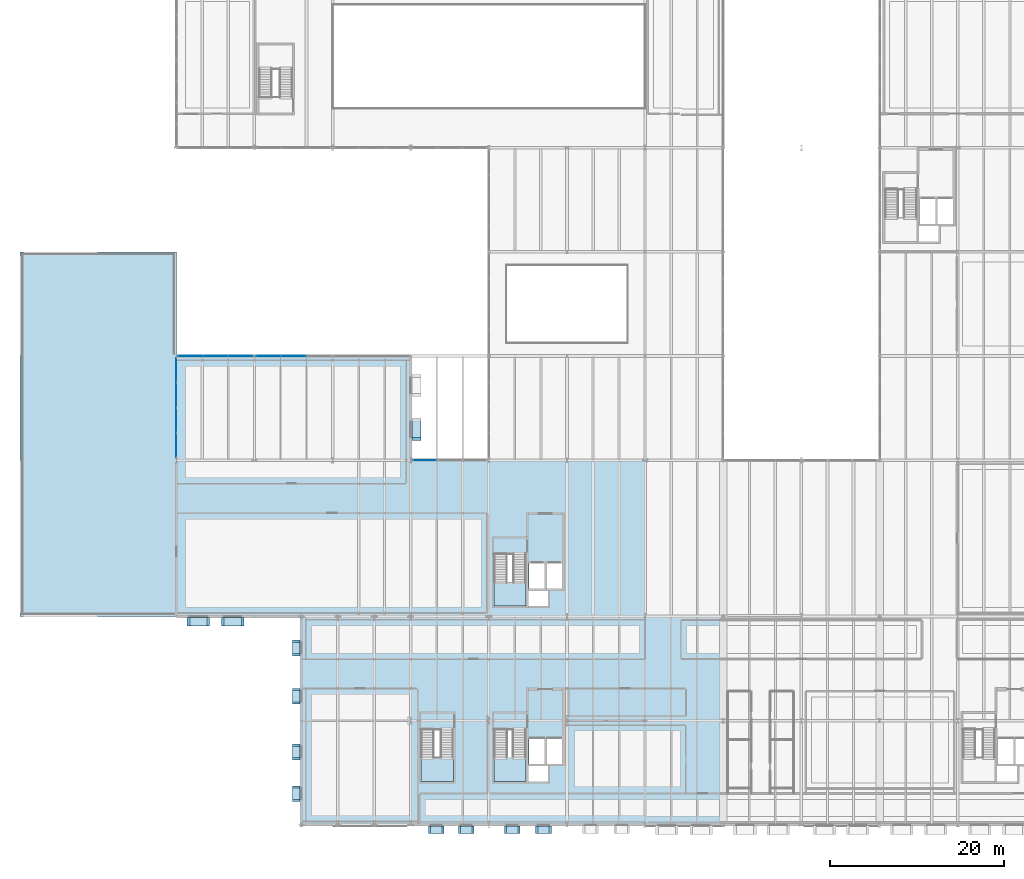
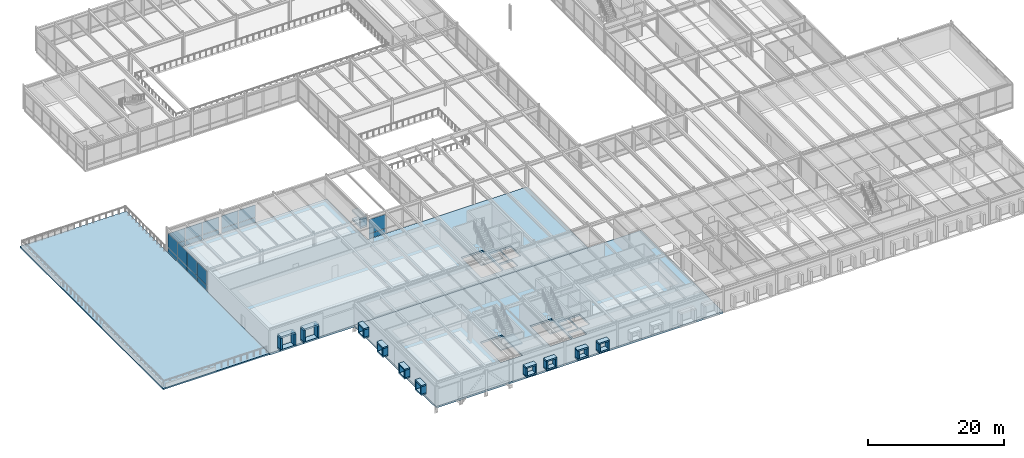
# One storey, part 95 of 127: 63 plates, 6 slabs, 7 elements without a shape of their own.
"""IFC4 building model written with IfcOpenShell, lengths in metres."""

from ifc_helpers import new_model, si_unit, direction, frame, origin, origin_2d, place, context, subcontext, project, spatial, polyline, rectangle, outline, extrude, material, layer, layer_set, type_object, element, aggregate, save


model = new_model("IFC4")

# Units and contexts
model_context = context("Model", 3, precision=1e-05, world=origin(), true_north=direction((0.0, 1.0)))
body_context = subcontext(model_context, "Body", "Model", "MODEL_VIEW")
ifc_project = project(units=[si_unit("LENGTHUNIT", "METRE"), si_unit("AREAUNIT", "SQUARE_METRE"), si_unit("VOLUMEUNIT", "CUBIC_METRE"), si_unit("PLANEANGLEUNIT", "RADIAN"), si_unit("MASSUNIT", "GRAM", prefix="KILO")], contexts=[model_context])

# Site, building, storey
site_placement = place(None, origin())
site = spatial("IfcSite", under=ifc_project, at=site_placement, CompositionType="ELEMENT")
building_placement = place(site_placement, origin())
building = spatial("IfcBuilding", under=site, at=building_placement, Name="Montelvaro Courts of Justice", CompositionType="ELEMENT")
storey_placement = place(building_placement, frame((0.0, 0.0, 5.39990234375)))
storey = spatial("IfcBuildingStorey", under=building, at=storey_placement, Name="L01", CompositionType="ELEMENT", Elevation=5.39990234375)

# Curtain wall, plates
ifc_material_1 = material(Name="Anodised aluminium EN AW-6063", Category="aluminium")
ifc_layer_1 = layer(ifc_material_1, 0.159912109375)
ifc_layer_set_1 = layer_set([ifc_layer_1], Name="Anodised aluminium EN AW-6063")
curtain_wall_type_1 = type_object("IfcCurtainWallType", Name="CurtainWall_18_868x418", PredefinedType="USERDEFINED", material=ifc_layer_set_1)
curtain_wall_1_placement = place(storey_placement, origin())
curtain_wall_1 = element("IfcCurtainWall", 1, at=curtain_wall_1_placement, inside=storey, type_object=curtain_wall_type_1, Name="Curtain Wall CW-18 (L01)", ObjectType="CURTAIN WALL", PredefinedType="USERDEFINED")
ifc_material_2 = material(Name="Acoustic laminated triple glazing", Category="glass")
ifc_layer_2 = layer(ifc_material_2, 0.035888671875)
ifc_layer_set_2 = layer_set([ifc_layer_2], Name="Acoustic laminated triple glazing")
plate_type_1 = type_object("IfcPlateType", Name="CurtainWall_Acoustic_Panel_36", PredefinedType="CURTAIN_PANEL", material=ifc_layer_set_2)
plate_1_placement = place(storey_placement, frame((31.4951171875, 54.0, 0.06005859375), z_axis=(0.0, 0.0, 1.0), x_axis=(-1.0, 0.0, 0.0)))
plate_1 = element("IfcPlate", 2, at=plate_1_placement, type_object=plate_type_1, Name="CW-18 panel 2.1", PredefinedType="CURTAIN_PANEL", context=body_context, shape_type="SweptSolid", body=[
    extrude(rectangle(XDim=2.833251953125, YDim=0.035888671875, at=origin_2d()), origin(), (0.0, 0.0, 1.0), 0.860107421875),
])
plate_2_placement = place(storey_placement, frame((31.4951171875, 54.0, 0.97998046875), z_axis=(0.0, 0.0, 1.0), x_axis=(-1.0, 0.0, 0.0)))
plate_2 = element("IfcPlate", 3, at=plate_2_placement, type_object=plate_type_1, Name="CW-18 panel 2.2", PredefinedType="CURTAIN_PANEL", context=body_context, shape_type="SweptSolid", body=[
    extrude(rectangle(XDim=2.833251953125, YDim=0.035888671875, at=origin_2d()), origin(), (0.0, 0.0, 1.0), 2.215087890625),
])
plate_3_placement = place(storey_placement, frame((28.61669921875, 54.0, 0.06005859375), z_axis=(0.0, 0.0, 1.0), x_axis=(-1.0, 0.0, 0.0)))
plate_3 = element("IfcPlate", 4, at=plate_3_placement, type_object=plate_type_1, Name="CW-18 panel 3.1", PredefinedType="CURTAIN_PANEL", context=body_context, shape_type="SweptSolid", body=[
    extrude(rectangle(XDim=2.80322265625, YDim=0.035888671875, at=origin_2d()), origin(), (0.0, 0.0, 1.0), 0.860107421875),
])
plate_4_placement = place(storey_placement, frame((28.61669921875, 54.0, 0.97998046875), z_axis=(0.0, 0.0, 1.0), x_axis=(-1.0, 0.0, 0.0)))
plate_4 = element("IfcPlate", 5, at=plate_4_placement, type_object=plate_type_1, Name="CW-18 panel 3.2", PredefinedType="CURTAIN_PANEL", context=body_context, shape_type="SweptSolid", body=[
    extrude(rectangle(XDim=2.80322265625, YDim=0.035888671875, at=origin_2d()), origin(), (0.0, 0.0, 1.0), 2.215087890625),
])
aggregate(curtain_wall_1, [plate_1, plate_2, plate_3, plate_4])

ifc_layer_3 = layer(ifc_material_1, 0.159912109375)
ifc_layer_set_3 = layer_set([ifc_layer_3], Name="Anodised aluminium EN AW-6063")
curtain_wall_type_2 = type_object("IfcCurtainWallType", Name="CurtainWall_23_1154x418", PredefinedType="USERDEFINED", material=ifc_layer_set_3)
curtain_wall_2_placement = place(storey_placement, origin())
curtain_wall_2 = element("IfcCurtainWall", 6, at=curtain_wall_2_placement, inside=storey, type_object=curtain_wall_type_2, Name="Curtain Wall CW-23 (L01)", ObjectType="CURTAIN WALL", PredefinedType="USERDEFINED")
plate_5_placement = place(storey_placement, frame((18.0, 52.366943359375, 0.0751953125), z_axis=(0.0, 0.0, 1.0), x_axis=(0.0, -1.0, 0.0)))
plate_5 = element("IfcPlate", 7, at=plate_5_placement, type_object=plate_type_1, Name="CW-23 panel 1.1", PredefinedType="CURTAIN_PANEL", context=body_context, shape_type="SweptSolid", body=[
    extrude(rectangle(XDim=2.7861328125, YDim=0.035888671875, at=origin_2d()), origin(), (0.0, 0.0, 1.0), 0.83740234375),
])
plate_6_placement = place(storey_placement, frame((18.0, 52.366943359375, 0.987548828125), z_axis=(0.0, 0.0, 1.0), x_axis=(0.0, -1.0, 0.0)))
plate_6 = element("IfcPlate", 8, at=plate_6_placement, type_object=plate_type_1, Name="CW-23 panel 1.2", PredefinedType="CURTAIN_PANEL", context=body_context, shape_type="SweptSolid", body=[
    extrude(rectangle(XDim=2.7861328125, YDim=0.035888671875, at=origin_2d()), origin(), (0.0, 0.0, 1.0), 2.54248046875),
])
plate_7_placement = place(storey_placement, frame((18.0, 49.499267578125, 0.0751953125), z_axis=(0.0, 0.0, 1.0), x_axis=(0.0, -1.0, 0.0)))
plate_7 = element("IfcPlate", 9, at=plate_7_placement, type_object=plate_type_1, Name="CW-23 panel 2.1", PredefinedType="CURTAIN_PANEL", context=body_context, shape_type="SweptSolid", body=[
    extrude(rectangle(XDim=2.81884765625, YDim=0.035888671875, at=origin_2d()), origin(), (0.0, 0.0, 1.0), 0.83740234375),
])
plate_8_placement = place(storey_placement, frame((18.0, 49.499267578125, 0.987548828125), z_axis=(0.0, 0.0, 1.0), x_axis=(0.0, -1.0, 0.0)))
plate_8 = element("IfcPlate", 10, at=plate_8_placement, type_object=plate_type_1, Name="CW-23 panel 2.2", PredefinedType="CURTAIN_PANEL", context=body_context, shape_type="SweptSolid", body=[
    extrude(rectangle(XDim=2.81884765625, YDim=0.035888671875, at=origin_2d()), origin(), (0.0, 0.0, 1.0), 2.54248046875),
])
plate_9_placement = place(storey_placement, frame((18.0, 46.61572265625, 0.0751953125), z_axis=(0.0, 0.0, 1.0), x_axis=(0.0, -1.0, 0.0)))
plate_9 = element("IfcPlate", 11, at=plate_9_placement, type_object=plate_type_1, Name="CW-23 panel 3.1", PredefinedType="CURTAIN_PANEL", context=body_context, shape_type="SweptSolid", body=[
    extrude(rectangle(XDim=2.81884765625, YDim=0.035888671875, at=origin_2d()), origin(), (0.0, 0.0, 1.0), 0.83740234375),
])
plate_10_placement = place(storey_placement, frame((18.0, 46.61572265625, 0.987548828125), z_axis=(0.0, 0.0, 1.0), x_axis=(0.0, -1.0, 0.0)))
plate_10 = element("IfcPlate", 12, at=plate_10_placement, type_object=plate_type_1, Name="CW-23 panel 3.2", PredefinedType="CURTAIN_PANEL", context=body_context, shape_type="SweptSolid", body=[
    extrude(rectangle(XDim=2.81884765625, YDim=0.035888671875, at=origin_2d()), origin(), (0.0, 0.0, 1.0), 2.54248046875),
])
plate_11_placement = place(storey_placement, frame((18.0, 43.748046875, 0.0751953125), z_axis=(0.0, 0.0, 1.0), x_axis=(0.0, -1.0, 0.0)))
plate_11 = element("IfcPlate", 13, at=plate_11_placement, type_object=plate_type_1, Name="CW-23 panel 4.1", PredefinedType="CURTAIN_PANEL", context=body_context, shape_type="SweptSolid", body=[
    extrude(rectangle(XDim=2.7861328125, YDim=0.035888671875, at=origin_2d()), origin(), (0.0, 0.0, 1.0), 0.83740234375),
])
plate_12_placement = place(storey_placement, frame((18.0, 43.748046875, 0.987548828125), z_axis=(0.0, 0.0, 1.0), x_axis=(0.0, -1.0, 0.0)))
plate_12 = element("IfcPlate", 14, at=plate_12_placement, type_object=plate_type_1, Name="CW-23 panel 4.2", PredefinedType="CURTAIN_PANEL", context=body_context, shape_type="SweptSolid", body=[
    extrude(rectangle(XDim=2.7861328125, YDim=0.035888671875, at=origin_2d()), origin(), (0.0, 0.0, 1.0), 2.54248046875),
])
aggregate(curtain_wall_2, [plate_5, plate_6, plate_7, plate_8, plate_9, plate_10, plate_11, plate_12])

ifc_layer_4 = layer(ifc_material_1, 0.159912109375)
ifc_layer_set_4 = layer_set([ifc_layer_4], Name="Anodised aluminium EN AW-6063")
curtain_wall_type_3 = type_object("IfcCurtainWallType", Name="CurtainWall_14_867x418", PredefinedType="USERDEFINED", material=ifc_layer_set_4)
curtain_wall_3_placement = place(storey_placement, origin())
curtain_wall_3 = element("IfcCurtainWall", 15, at=curtain_wall_3_placement, inside=storey, type_object=curtain_wall_type_3, Name="Curtain Wall CW-14 (L01)", ObjectType="CURTAIN WALL", PredefinedType="USERDEFINED")
ifc_material_3 = material(Name="Insulated spandrel glazing", Category="glass")
ifc_layer_5 = layer(ifc_material_3, 0.048095703125)
ifc_layer_set_5 = layer_set([ifc_layer_5], Name="Insulated spandrel glazing")
plate_type_2 = type_object("IfcPlateType", Name="CurtainWall_Spandrel_Panel_48", PredefinedType="CURTAIN_PANEL", material=ifc_layer_set_5)
plate_13_placement = place(storey_placement, frame((46.628662109375, 42.0, 0.06005859375), z_axis=(0.0, 0.0, 1.0), x_axis=(-1.0, 0.0, 0.0)))
plate_13 = element("IfcPlate", 16, at=plate_13_placement, type_object=plate_type_2, Name="CW-14 panel 3.1", PredefinedType="CURTAIN_PANEL", context=body_context, shape_type="SweptSolid", body=[
    extrude(rectangle(XDim=2.777587890625, YDim=0.048095703125, at=origin_2d()), origin(), (0.0, 0.0, 1.0), 0.860107421875),
])
plate_14_placement = place(storey_placement, frame((46.628662109375, 42.0, 0.97998046875), z_axis=(0.0, 0.0, 1.0), x_axis=(-1.0, 0.0, 0.0)))
plate_14 = element("IfcPlate", 17, at=plate_14_placement, type_object=plate_type_2, Name="CW-14 panel 3.2", PredefinedType="CURTAIN_PANEL", context=body_context, shape_type="SweptSolid", body=[
    extrude(rectangle(XDim=2.777587890625, YDim=0.048095703125, at=origin_2d()), origin(), (0.0, 0.0, 1.0), 2.514892578125),
])
aggregate(curtain_wall_3, [plate_13, plate_14])

curtain_wall_4_placement = place(storey_placement, origin())
curtain_wall_4 = element("IfcCurtainWall", 18, at=curtain_wall_4_placement, inside=storey, type_object=curtain_wall_type_1, Name="Curtain Wall CW-18 (L01)", ObjectType="CURTAIN WALL", PredefinedType="USERDEFINED")
plate_15_placement = place(storey_placement, frame((25.38330078125, 54.0, 0.0751953125), z_axis=(0.0, 0.0, 1.0), x_axis=(-1.0, 0.0, 0.0)))
plate_15 = element("IfcPlate", 19, at=plate_15_placement, type_object=plate_type_2, Name="CW-18 panel 1.1", PredefinedType="CURTAIN_PANEL", context=body_context, shape_type="SweptSolid", body=[
    extrude(rectangle(XDim=2.80322265625, YDim=0.048095703125, at=origin_2d()), origin(), (0.0, 0.0, 1.0), 0.83740234375),
])
plate_16_placement = place(storey_placement, frame((25.38330078125, 54.0, 0.987548828125), z_axis=(0.0, 0.0, 1.0), x_axis=(-1.0, 0.0, 0.0)))
plate_16 = element("IfcPlate", 20, at=plate_16_placement, type_object=plate_type_2, Name="CW-18 panel 1.2", PredefinedType="CURTAIN_PANEL", context=body_context, shape_type="SweptSolid", body=[
    extrude(rectangle(XDim=2.80322265625, YDim=0.048095703125, at=origin_2d()), origin(), (0.0, 0.0, 1.0), 2.1923828125),
])
plate_17_placement = place(storey_placement, frame((22.5048828125, 54.0, 0.0751953125), z_axis=(0.0, 0.0, 1.0), x_axis=(-1.0, 0.0, 0.0)))
plate_17 = element("IfcPlate", 21, at=plate_17_placement, type_object=plate_type_2, Name="CW-18 panel 2.1", PredefinedType="CURTAIN_PANEL", context=body_context, shape_type="SweptSolid", body=[
    extrude(rectangle(XDim=2.833251953125, YDim=0.048095703125, at=origin_2d()), origin(), (0.0, 0.0, 1.0), 0.83740234375),
])
plate_18_placement = place(storey_placement, frame((22.5048828125, 54.0, 0.987548828125), z_axis=(0.0, 0.0, 1.0), x_axis=(-1.0, 0.0, 0.0)))
plate_18 = element("IfcPlate", 22, at=plate_18_placement, type_object=plate_type_2, Name="CW-18 panel 2.2", PredefinedType="CURTAIN_PANEL", context=body_context, shape_type="SweptSolid", body=[
    extrude(rectangle(XDim=2.833251953125, YDim=0.048095703125, at=origin_2d()), origin(), (0.0, 0.0, 1.0), 2.1923828125),
])
plate_19_placement = place(storey_placement, frame((19.626708984375, 54.0, 0.0751953125), z_axis=(0.0, 0.0, 1.0), x_axis=(-1.0, 0.0, 0.0)))
plate_19 = element("IfcPlate", 23, at=plate_19_placement, type_object=plate_type_2, Name="CW-18 panel 3.1", PredefinedType="CURTAIN_PANEL", context=body_context, shape_type="SweptSolid", body=[
    extrude(rectangle(XDim=2.80322265625, YDim=0.048095703125, at=origin_2d()), origin(), (0.0, 0.0, 1.0), 0.83740234375),
])
plate_20_placement = place(storey_placement, frame((19.626708984375, 54.0, 0.987548828125), z_axis=(0.0, 0.0, 1.0), x_axis=(-1.0, 0.0, 0.0)))
plate_20 = element("IfcPlate", 24, at=plate_20_placement, type_object=plate_type_2, Name="CW-18 panel 3.2", PredefinedType="CURTAIN_PANEL", context=body_context, shape_type="SweptSolid", body=[
    extrude(rectangle(XDim=2.80322265625, YDim=0.048095703125, at=origin_2d()), origin(), (0.0, 0.0, 1.0), 2.1923828125),
])
aggregate(curtain_wall_4, [plate_15, plate_16, plate_17, plate_18, plate_19, plate_20])

# Slabs
ifc_material_4 = material(Name="Concrete C35/45", Category="concrete")
ifc_layer_6 = layer(ifc_material_4, 0.340087890625)
ifc_layer_set_6 = layer_set([ifc_layer_6], Name="Concrete C35/45")
slab_type_1 = type_object("IfcSlabType", Name="FloorSlab_340", PredefinedType="FLOOR", material=ifc_layer_set_6)
slab_1_placement = place(storey_placement, frame((0.0, 0.0, -0.33984375)))
element("IfcSlab", 25, at=slab_1_placement, inside=storey, type_object=slab_type_1, Name="Structural Slab SF-03 L01", PredefinedType="FLOOR", context=body_context, shape_type="SweptSolid", body=[
    extrude(outline(polyline([(18.0, 24.0), (72.0, 24.0), (72.0, 42.0), (45.0, 42.0), (45.0, 54.0), (18.0, 54.0), (18.0, 24.0)]), holes=[polyline([(54.60009765625, 25.199951171875), (58.300048828125, 25.199951171875), (58.300048828125, 31.199951171875), (54.60009765625, 31.199951171875), (54.60009765625, 25.199951171875)]), polyline([(58.5400390625, 25.199951171875), (60.800048828125, 25.199951171875), (60.800048828125, 26.9599609375), (58.5400390625, 26.9599609375), (58.5400390625, 25.199951171875)]), polyline([(58.64990234375, 27.199951171875), (60.5, 27.199951171875), (60.5, 30.10009765625), (58.64990234375, 30.10009765625), (58.64990234375, 27.199951171875)]), polyline([(60.60009765625, 27.199951171875), (62.449951171875, 27.199951171875), (62.449951171875, 30.10009765625), (60.60009765625, 30.10009765625), (60.60009765625, 27.199951171875)])]), origin(), (0.0, 0.0, 1.0), 0.33984375),
])
ifc_layer_7 = layer(ifc_material_4, 0.320068359375)
ifc_layer_set_7 = layer_set([ifc_layer_7], Name="Concrete C35/45")
slab_type_2 = type_object("IfcSlabType", Name="FloorSlab_V5_320", PredefinedType="FLOOR", material=ifc_layer_set_7)
slab_2_placement = place(storey_placement, frame((0.0, 0.0, -0.31982421875)))
element("IfcSlab", 26, at=slab_2_placement, inside=storey, type_object=slab_type_2, Name="Structural Slab SF-05 L01", PredefinedType="FLOOR", context=body_context, shape_type="SweptSolid", body=[
    extrude(outline(polyline([(32.39990234375, 0.0), (80.949951171875, 0.0), (80.949951171875, 24.0), (32.39990234375, 24.0), (32.39990234375, 0.0)]), holes=[polyline([(54.60009765625, 5.0), (58.300048828125, 5.0), (58.300048828125, 11.0), (54.60009765625, 11.0), (54.60009765625, 5.0)]), polyline([(58.5400390625, 5.0), (60.800048828125, 5.0), (60.800048828125, 6.760009765625), (58.5400390625, 6.760009765625), (58.5400390625, 5.0)]), polyline([(58.64990234375, 7.0), (60.5, 7.0), (60.5, 9.89990234375), (58.64990234375, 9.89990234375), (58.64990234375, 7.0)]), polyline([(60.60009765625, 7.0), (62.449951171875, 7.0), (62.449951171875, 9.89990234375), (60.60009765625, 9.89990234375), (60.60009765625, 7.0)]), polyline([(46.199951171875, 5.0), (49.89990234375, 5.0), (49.89990234375, 11.0), (46.199951171875, 11.0), (46.199951171875, 5.0)])]), origin(), (0.0, 0.0, 1.0), 0.31982421875),
])

# Plates
ifc_material_5 = material(Name="White mineral precast concrete C45/55", Category="concrete")
ifc_layer_8 = layer(ifc_material_5, 0.25)
ifc_layer_set_8 = layer_set([ifc_layer_8], Name="White mineral precast concrete C45/55")
plate_type_3 = type_object("IfcPlateType", Name="PrecastSquareFrame_250x850", PredefinedType="SHEET", material=ifc_layer_set_8)
for number, where, z_axis, x_axis, name in (
    (27, (47.947021484375, -0.570068359375, 2.2001953125), (0.0, 0.0, 1.0), (1.0, 0.0, 0.0), "Graduated Square Window Frame PF-03 W-L01-050 TOP"),
    (28, (47.947021484375, -0.570068359375, 0.650146484375), (0.0, 0.0, 1.0), (1.0, 0.0, 0.0), "Graduated Square Window Frame PF-03 W-L01-050 BOT"),
):
    element("IfcPlate", number, at=place(storey_placement, frame(where, z_axis=z_axis, x_axis=x_axis)), inside=storey, type_object=plate_type_3, Name=name, PredefinedType="SHEET", context=body_context, shape_type="SweptSolid", body=[
        extrude(rectangle(XDim=1.800048828125, YDim=0.860107421875, at=origin_2d()), origin(), (0.0, 0.0, 1.0), 0.25),
    ])
for number, where, z_axis, x_axis, name in (
    (29, (47.172119140625, -0.570068359375, 0.89990234375), (0.0, 0.0, 1.0), (1.0, 0.0, 0.0), "Graduated Square Window Frame PF-03 W-L01-050 L"),
    (30, (48.721923828125, -0.570068359375, 0.89990234375), (0.0, 0.0, 1.0), (1.0, 0.0, 0.0), "Graduated Square Window Frame PF-03 W-L01-050 R"),
):
    element("IfcPlate", number, at=place(storey_placement, frame(where, z_axis=z_axis, x_axis=x_axis)), inside=storey, type_object=plate_type_3, Name=name, PredefinedType="SHEET", context=body_context, shape_type="SweptSolid", body=[
        extrude(rectangle(XDim=0.25, YDim=0.860107421875, at=origin_2d()), origin(), (0.0, 0.0, 1.0), 1.300048828125),
    ])
for number, where, z_axis, x_axis, name in (
    (31, (51.40087890625, -0.570068359375, 2.2001953125), (0.0, 0.0, 1.0), (1.0, 0.0, 0.0), "Graduated Square Window Frame PF-03 W-L01-051 TOP"),
    (32, (51.40087890625, -0.570068359375, 0.650146484375), (0.0, 0.0, 1.0), (1.0, 0.0, 0.0), "Graduated Square Window Frame PF-03 W-L01-051 BOT"),
):
    element("IfcPlate", number, at=place(storey_placement, frame(where, z_axis=z_axis, x_axis=x_axis)), inside=storey, type_object=plate_type_3, Name=name, PredefinedType="SHEET", context=body_context, shape_type="SweptSolid", body=[
        extrude(rectangle(XDim=1.800048828125, YDim=0.860107421875, at=origin_2d()), origin(), (0.0, 0.0, 1.0), 0.25),
    ])
for number, where, z_axis, x_axis, name in (
    (33, (50.6259765625, -0.570068359375, 0.89990234375), (0.0, 0.0, 1.0), (1.0, 0.0, 0.0), "Graduated Square Window Frame PF-03 W-L01-051 L"),
    (34, (52.176025390625, -0.570068359375, 0.89990234375), (0.0, 0.0, 1.0), (1.0, 0.0, 0.0), "Graduated Square Window Frame PF-03 W-L01-051 R"),
):
    element("IfcPlate", number, at=place(storey_placement, frame(where, z_axis=z_axis, x_axis=x_axis)), inside=storey, type_object=plate_type_3, Name=name, PredefinedType="SHEET", context=body_context, shape_type="SweptSolid", body=[
        extrude(rectangle(XDim=0.25, YDim=0.860107421875, at=origin_2d()), origin(), (0.0, 0.0, 1.0), 1.300048828125),
    ])
for number, where, z_axis, x_axis, name in (
    (35, (56.702880859375, -0.570068359375, 2.2001953125), (0.0, 0.0, 1.0), (1.0, 0.0, 0.0), "Graduated Square Window Frame PF-03 W-L01-052 TOP"),
    (36, (56.702880859375, -0.570068359375, 0.650146484375), (0.0, 0.0, 1.0), (1.0, 0.0, 0.0), "Graduated Square Window Frame PF-03 W-L01-052 BOT"),
):
    element("IfcPlate", number, at=place(storey_placement, frame(where, z_axis=z_axis, x_axis=x_axis)), inside=storey, type_object=plate_type_3, Name=name, PredefinedType="SHEET", context=body_context, shape_type="SweptSolid", body=[
        extrude(rectangle(XDim=1.800048828125, YDim=0.860107421875, at=origin_2d()), origin(), (0.0, 0.0, 1.0), 0.25),
    ])
for number, where, z_axis, x_axis, name in (
    (37, (55.927978515625, -0.570068359375, 0.89990234375), (0.0, 0.0, 1.0), (1.0, 0.0, 0.0), "Graduated Square Window Frame PF-03 W-L01-052 L"),
    (38, (57.47802734375, -0.570068359375, 0.89990234375), (0.0, 0.0, 1.0), (1.0, 0.0, 0.0), "Graduated Square Window Frame PF-03 W-L01-052 R"),
):
    element("IfcPlate", number, at=place(storey_placement, frame(where, z_axis=z_axis, x_axis=x_axis)), inside=storey, type_object=plate_type_3, Name=name, PredefinedType="SHEET", context=body_context, shape_type="SweptSolid", body=[
        extrude(rectangle(XDim=0.25, YDim=0.860107421875, at=origin_2d()), origin(), (0.0, 0.0, 1.0), 1.300048828125),
    ])
for number, where, z_axis, x_axis, name in (
    (39, (60.297119140625, -0.570068359375, 2.2001953125), (0.0, 0.0, 1.0), (1.0, 0.0, 0.0), "Graduated Square Window Frame PF-03 W-L01-053 TOP"),
    (40, (60.297119140625, -0.570068359375, 0.650146484375), (0.0, 0.0, 1.0), (1.0, 0.0, 0.0), "Graduated Square Window Frame PF-03 W-L01-053 BOT"),
):
    element("IfcPlate", number, at=place(storey_placement, frame(where, z_axis=z_axis, x_axis=x_axis)), inside=storey, type_object=plate_type_3, Name=name, PredefinedType="SHEET", context=body_context, shape_type="SweptSolid", body=[
        extrude(rectangle(XDim=1.800048828125, YDim=0.860107421875, at=origin_2d()), origin(), (0.0, 0.0, 1.0), 0.25),
    ])
for number, where, z_axis, x_axis, name in (
    (41, (59.52197265625, -0.570068359375, 0.89990234375), (0.0, 0.0, 1.0), (1.0, 0.0, 0.0), "Graduated Square Window Frame PF-03 W-L01-053 L"),
    (42, (61.072021484375, -0.570068359375, 0.89990234375), (0.0, 0.0, 1.0), (1.0, 0.0, 0.0), "Graduated Square Window Frame PF-03 W-L01-053 R"),
):
    element("IfcPlate", number, at=place(storey_placement, frame(where, z_axis=z_axis, x_axis=x_axis)), inside=storey, type_object=plate_type_3, Name=name, PredefinedType="SHEET", context=body_context, shape_type="SweptSolid", body=[
        extrude(rectangle(XDim=0.25, YDim=0.860107421875, at=origin_2d()), origin(), (0.0, 0.0, 1.0), 1.300048828125),
    ])
for number, where, z_axis, x_axis, name in (
    (43, (31.830078125, 20.368896484375, 2.2001953125), (0.0, 0.0, 1.0), (0.0, -1.0, 0.0), "Graduated Square Window Frame PF-03 W-L01-058 TOP"),
    (44, (31.830078125, 20.368896484375, 0.650146484375), (0.0, 0.0, 1.0), (0.0, -1.0, 0.0), "Graduated Square Window Frame PF-03 W-L01-058 BOT"),
):
    element("IfcPlate", number, at=place(storey_placement, frame(where, z_axis=z_axis, x_axis=x_axis)), inside=storey, type_object=plate_type_3, Name=name, PredefinedType="SHEET", context=body_context, shape_type="SweptSolid", body=[
        extrude(rectangle(XDim=1.800048828125, YDim=0.860107421875, at=origin_2d()), origin(), (0.0, 0.0, 1.0), 0.25),
    ])
for number, where, z_axis, x_axis, name in (
    (45, (31.830078125, 21.14404296875, 0.89990234375), (0.0, 0.0, 1.0), (0.0, -1.0, 0.0), "Graduated Square Window Frame PF-03 W-L01-058 L"),
    (46, (31.830078125, 19.593994140625, 0.89990234375), (0.0, 0.0, 1.0), (0.0, -1.0, 0.0), "Graduated Square Window Frame PF-03 W-L01-058 R"),
):
    element("IfcPlate", number, at=place(storey_placement, frame(where, z_axis=z_axis, x_axis=x_axis)), inside=storey, type_object=plate_type_3, Name=name, PredefinedType="SHEET", context=body_context, shape_type="SweptSolid", body=[
        extrude(rectangle(XDim=0.25, YDim=0.860107421875, at=origin_2d()), origin(), (0.0, 0.0, 1.0), 1.300048828125),
    ])
for number, where, z_axis, x_axis, name in (
    (47, (31.830078125, 14.81005859375, 2.2001953125), (0.0, 0.0, 1.0), (0.0, -1.0, 0.0), "Graduated Square Window Frame PF-03 W-L01-059 TOP"),
    (48, (31.830078125, 14.81005859375, 0.650146484375), (0.0, 0.0, 1.0), (0.0, -1.0, 0.0), "Graduated Square Window Frame PF-03 W-L01-059 BOT"),
):
    element("IfcPlate", number, at=place(storey_placement, frame(where, z_axis=z_axis, x_axis=x_axis)), inside=storey, type_object=plate_type_3, Name=name, PredefinedType="SHEET", context=body_context, shape_type="SweptSolid", body=[
        extrude(rectangle(XDim=1.800048828125, YDim=0.860107421875, at=origin_2d()), origin(), (0.0, 0.0, 1.0), 0.25),
    ])
for number, where, z_axis, x_axis, name in (
    (49, (31.830078125, 15.5849609375, 0.89990234375), (0.0, 0.0, 1.0), (0.0, -1.0, 0.0), "Graduated Square Window Frame PF-03 W-L01-059 L"),
    (50, (31.830078125, 14.034912109375, 0.89990234375), (0.0, 0.0, 1.0), (0.0, -1.0, 0.0), "Graduated Square Window Frame PF-03 W-L01-059 R"),
):
    element("IfcPlate", number, at=place(storey_placement, frame(where, z_axis=z_axis, x_axis=x_axis)), inside=storey, type_object=plate_type_3, Name=name, PredefinedType="SHEET", context=body_context, shape_type="SweptSolid", body=[
        extrude(rectangle(XDim=0.25, YDim=0.860107421875, at=origin_2d()), origin(), (0.0, 0.0, 1.0), 1.300048828125),
    ])
for number, where, z_axis, x_axis, name in (
    (51, (31.830078125, 8.39501953125, 2.2001953125), (0.0, 0.0, 1.0), (0.0, -1.0, 0.0), "Graduated Square Window Frame PF-03 W-L01-060 TOP"),
    (52, (31.830078125, 8.39501953125, 0.650146484375), (0.0, 0.0, 1.0), (0.0, -1.0, 0.0), "Graduated Square Window Frame PF-03 W-L01-060 BOT"),
):
    element("IfcPlate", number, at=place(storey_placement, frame(where, z_axis=z_axis, x_axis=x_axis)), inside=storey, type_object=plate_type_3, Name=name, PredefinedType="SHEET", context=body_context, shape_type="SweptSolid", body=[
        extrude(rectangle(XDim=1.800048828125, YDim=0.860107421875, at=origin_2d()), origin(), (0.0, 0.0, 1.0), 0.25),
    ])
for number, where, z_axis, x_axis, name in (
    (53, (31.830078125, 9.169921875, 0.89990234375), (0.0, 0.0, 1.0), (0.0, -1.0, 0.0), "Graduated Square Window Frame PF-03 W-L01-060 L"),
    (54, (31.830078125, 7.6201171875, 0.89990234375), (0.0, 0.0, 1.0), (0.0, -1.0, 0.0), "Graduated Square Window Frame PF-03 W-L01-060 R"),
):
    element("IfcPlate", number, at=place(storey_placement, frame(where, z_axis=z_axis, x_axis=x_axis)), inside=storey, type_object=plate_type_3, Name=name, PredefinedType="SHEET", context=body_context, shape_type="SweptSolid", body=[
        extrude(rectangle(XDim=0.25, YDim=0.860107421875, at=origin_2d()), origin(), (0.0, 0.0, 1.0), 1.300048828125),
    ])
for number, where, z_axis, x_axis, name in (
    (55, (31.830078125, 3.574951171875, 2.2001953125), (0.0, 0.0, 1.0), (0.0, -1.0, 0.0), "Graduated Square Window Frame PF-03 W-L01-061 TOP"),
    (56, (31.830078125, 3.574951171875, 0.650146484375), (0.0, 0.0, 1.0), (0.0, -1.0, 0.0), "Graduated Square Window Frame PF-03 W-L01-061 BOT"),
):
    element("IfcPlate", number, at=place(storey_placement, frame(where, z_axis=z_axis, x_axis=x_axis)), inside=storey, type_object=plate_type_3, Name=name, PredefinedType="SHEET", context=body_context, shape_type="SweptSolid", body=[
        extrude(rectangle(XDim=1.800048828125, YDim=0.860107421875, at=origin_2d()), origin(), (0.0, 0.0, 1.0), 0.25),
    ])
for number, where, z_axis, x_axis, name in (
    (57, (31.830078125, 4.35009765625, 0.89990234375), (0.0, 0.0, 1.0), (0.0, -1.0, 0.0), "Graduated Square Window Frame PF-03 W-L01-061 L"),
    (58, (31.830078125, 2.800048828125, 0.89990234375), (0.0, 0.0, 1.0), (0.0, -1.0, 0.0), "Graduated Square Window Frame PF-03 W-L01-061 R"),
):
    element("IfcPlate", number, at=place(storey_placement, frame(where, z_axis=z_axis, x_axis=x_axis)), inside=storey, type_object=plate_type_3, Name=name, PredefinedType="SHEET", context=body_context, shape_type="SweptSolid", body=[
        extrude(rectangle(XDim=0.25, YDim=0.860107421875, at=origin_2d()), origin(), (0.0, 0.0, 1.0), 1.300048828125),
    ])
ifc_layer_9 = layer(ifc_material_5, 0.300048828125)
ifc_layer_set_9 = layer_set([ifc_layer_9], Name="White mineral precast concrete C45/55")
plate_type_4 = type_object("IfcPlateType", Name="PrecastSquareFrame_300x950", PredefinedType="SHEET", material=ifc_layer_set_9)
for number, where, z_axis, x_axis, name in (
    (59, (20.552001953125, 23.3798828125, 2.85009765625), (0.0, 0.0, 1.0), (1.0, 0.0, 0.0), "Graduated Square Window Frame PF-02 W-L01-046 TOP"),
    (60, (20.552001953125, 23.3798828125, 0.55029296875), (0.0, 0.0, 1.0), (1.0, 0.0, 0.0), "Graduated Square Window Frame PF-02 W-L01-046 BOT"),
):
    element("IfcPlate", number, at=place(storey_placement, frame(where, z_axis=z_axis, x_axis=x_axis)), inside=storey, type_object=plate_type_4, Name=name, PredefinedType="SHEET", context=body_context, shape_type="SweptSolid", body=[
        extrude(rectangle(XDim=2.60009765625, YDim=0.9599609375, at=origin_2d()), origin(), (0.0, 0.0, 1.0), 0.300048828125),
    ])
for number, where, z_axis, x_axis, name in (
    (61, (19.402099609375, 23.3798828125, 0.85009765625), (0.0, 0.0, 1.0), (1.0, 0.0, 0.0), "Graduated Square Window Frame PF-02 W-L01-046 L"),
    (62, (21.701904296875, 23.3798828125, 0.85009765625), (0.0, 0.0, 1.0), (1.0, 0.0, 0.0), "Graduated Square Window Frame PF-02 W-L01-046 R"),
):
    element("IfcPlate", number, at=place(storey_placement, frame(where, z_axis=z_axis, x_axis=x_axis)), inside=storey, type_object=plate_type_4, Name=name, PredefinedType="SHEET", context=body_context, shape_type="SweptSolid", body=[
        extrude(rectangle(XDim=0.300048828125, YDim=0.9599609375, at=origin_2d()), origin(), (0.0, 0.0, 1.0), 2.0),
    ])
for number, where, z_axis, x_axis, name in (
    (63, (24.498046875, 23.3798828125, 2.85009765625), (0.0, 0.0, 1.0), (1.0, 0.0, 0.0), "Graduated Square Window Frame PF-02 W-L01-047 TOP"),
    (64, (24.498046875, 23.3798828125, 0.55029296875), (0.0, 0.0, 1.0), (1.0, 0.0, 0.0), "Graduated Square Window Frame PF-02 W-L01-047 BOT"),
):
    element("IfcPlate", number, at=place(storey_placement, frame(where, z_axis=z_axis, x_axis=x_axis)), inside=storey, type_object=plate_type_4, Name=name, PredefinedType="SHEET", context=body_context, shape_type="SweptSolid", body=[
        extrude(rectangle(XDim=2.60009765625, YDim=0.9599609375, at=origin_2d()), origin(), (0.0, 0.0, 1.0), 0.300048828125),
    ])
for number, where, z_axis, x_axis, name in (
    (65, (23.347900390625, 23.3798828125, 0.85009765625), (0.0, 0.0, 1.0), (1.0, 0.0, 0.0), "Graduated Square Window Frame PF-02 W-L01-047 L"),
    (66, (25.64794921875, 23.3798828125, 0.85009765625), (0.0, 0.0, 1.0), (1.0, 0.0, 0.0), "Graduated Square Window Frame PF-02 W-L01-047 R"),
):
    element("IfcPlate", number, at=place(storey_placement, frame(where, z_axis=z_axis, x_axis=x_axis)), inside=storey, type_object=plate_type_4, Name=name, PredefinedType="SHEET", context=body_context, shape_type="SweptSolid", body=[
        extrude(rectangle(XDim=0.300048828125, YDim=0.9599609375, at=origin_2d()), origin(), (0.0, 0.0, 1.0), 2.0),
    ])
ifc_layer_10 = layer(ifc_material_5, 0.35009765625)
ifc_layer_set_10 = layer_set([ifc_layer_10], Name="White mineral precast concrete C45/55")
plate_type_5 = type_object("IfcPlateType", Name="PrecastSquareFrame_350x1050", PredefinedType="SHEET", material=ifc_layer_set_10)
for number, where, z_axis, x_axis, name in (
    (67, (45.669921875, 45.530029296875, 2.050048828125), (0.0, 0.0, 1.0), (0.0, 1.0, 0.0), "Graduated Square Window Frame PF-01 W-L01-048 TOP"),
    (68, (45.669921875, 45.530029296875, 0.5), (0.0, 0.0, 1.0), (0.0, 1.0, 0.0), "Graduated Square Window Frame PF-01 W-L01-048 BOT"),
):
    element("IfcPlate", number, at=place(storey_placement, frame(where, z_axis=z_axis, x_axis=x_axis)), inside=storey, type_object=plate_type_5, Name=name, PredefinedType="SHEET", context=body_context, shape_type="SweptSolid", body=[
        extrude(rectangle(XDim=2.5, YDim=1.06005859375, at=origin_2d()), origin(), (0.0, 0.0, 1.0), 0.35009765625),
    ])
plate_21_placement = place(storey_placement, frame((45.669921875, 44.455078125, 0.85009765625), z_axis=(0.0, 0.0, 1.0), x_axis=(0.0, 1.0, 0.0)))
element("IfcPlate", 69, at=plate_21_placement, inside=storey, type_object=plate_type_5, Name="Graduated Square Window Frame PF-01 W-L01-048 L", PredefinedType="SHEET", context=body_context, shape_type="SweptSolid", body=[
    extrude(rectangle(XDim=0.35009765625, YDim=1.06005859375, at=origin_2d()), origin(), (0.0, 0.0, 1.0), 1.199951171875),
])

# Stair, slab
stair_type_1 = type_object("IfcStairType", Name="ProtectedStair_155", PredefinedType="HALF_TURN_STAIR", material=ifc_material_4)
stair_1_placement = place(storey_placement, origin())
stair_1 = element("IfcStair", 70, at=stair_1_placement, inside=storey, type_object=stair_type_1, Name="Protected Stair ST-K1-L01", PredefinedType="HALF_TURN_STAIR")
ifc_layer_11 = layer(ifc_material_4, 0.199951171875)
ifc_layer_set_11 = layer_set([ifc_layer_11], Name="Concrete C35/45")
slab_type_3 = type_object("IfcSlabType", Name="StairLanding_200", PredefinedType="LANDING", material=ifc_layer_set_11)
slab_3_placement = place(storey_placement, frame((0.0, 0.0, 2.050048828125)))
slab_3 = element("IfcSlab", 71, at=slab_3_placement, type_object=slab_type_3, Name="ST-K1-L01 landing 1", PredefinedType="LANDING", context=body_context, shape_type="SweptSolid", body=[
    extrude(outline(polyline([(54.60009765625, 5.0), (58.300048828125, 5.0), (58.300048828125, 7.735107421875), (54.60009765625, 7.735107421875), (54.60009765625, 5.0)])), origin(), (0.0, 0.0, 1.0), 0.199951171875),
])
aggregate(stair_1, [slab_3])

stair_type_2 = type_object("IfcStairType", Name="ProtectedStair_150", PredefinedType="HALF_TURN_STAIR", material=ifc_material_4)
stair_2_placement = place(storey_placement, origin())
stair_2 = element("IfcStair", 72, at=stair_2_placement, inside=storey, type_object=stair_type_2, Name="Protected Stair ST-W1-L01", PredefinedType="HALF_TURN_STAIR")
slab_4_placement = place(storey_placement, frame((0.0, 0.0, 2.050048828125)))
slab_4 = element("IfcSlab", 73, at=slab_4_placement, type_object=slab_type_3, Name="ST-W1-L01 landing 1", PredefinedType="LANDING", context=body_context, shape_type="SweptSolid", body=[
    extrude(outline(polyline([(54.60009765625, 25.199951171875), (58.300048828125, 25.199951171875), (58.300048828125, 27.93505859375), (54.60009765625, 27.93505859375), (54.60009765625, 25.199951171875)])), origin(), (0.0, 0.0, 1.0), 0.199951171875),
])
aggregate(stair_2, [slab_4])

stair_type_3 = type_object("IfcStairType", Name="ProtectedStair_145", PredefinedType="HALF_TURN_STAIR", material=ifc_material_4)
stair_3_placement = place(storey_placement, origin())
stair_3 = element("IfcStair", 74, at=stair_3_placement, inside=storey, type_object=stair_type_3, Name="Protected Stair ST-E1-L01", PredefinedType="HALF_TURN_STAIR")
slab_5_placement = place(storey_placement, frame((0.0, 0.0, 2.050048828125)))
slab_5 = element("IfcSlab", 75, at=slab_5_placement, type_object=slab_type_3, Name="ST-E1-L01 landing 1", PredefinedType="LANDING", context=body_context, shape_type="SweptSolid", body=[
    extrude(outline(polyline([(46.199951171875, 5.0), (49.89990234375, 5.0), (49.89990234375, 7.735107421875), (46.199951171875, 7.735107421875), (46.199951171875, 5.0)])), origin(), (0.0, 0.0, 1.0), 0.199951171875),
])
aggregate(stair_3, [slab_5])

# Slab
ifc_layer_12 = layer(ifc_material_4, 0.25)
ifc_layer_set_12 = layer_set([ifc_layer_12], Name="Concrete C35/45")
slab_type_4 = type_object("IfcSlabType", Name="TerraceSlab_250", PredefinedType="FLOOR", material=ifc_layer_set_12)
slab_6_placement = place(storey_placement, frame((0.0, 0.0, -0.25)))
element("IfcSlab", 76, at=slab_6_placement, inside=storey, type_object=slab_type_4, Name="West Gateway Civic Terrace", PredefinedType="FLOOR", context=body_context, shape_type="SweptSolid", body=[
    extrude(outline(polyline([(0.0, 24.0), (18.0, 24.0), (18.0, 66.0), (0.0, 66.0), (0.0, 24.0)])), origin(), (0.0, 0.0, 1.0), 0.25),
])

save(model, "model.ifc")
